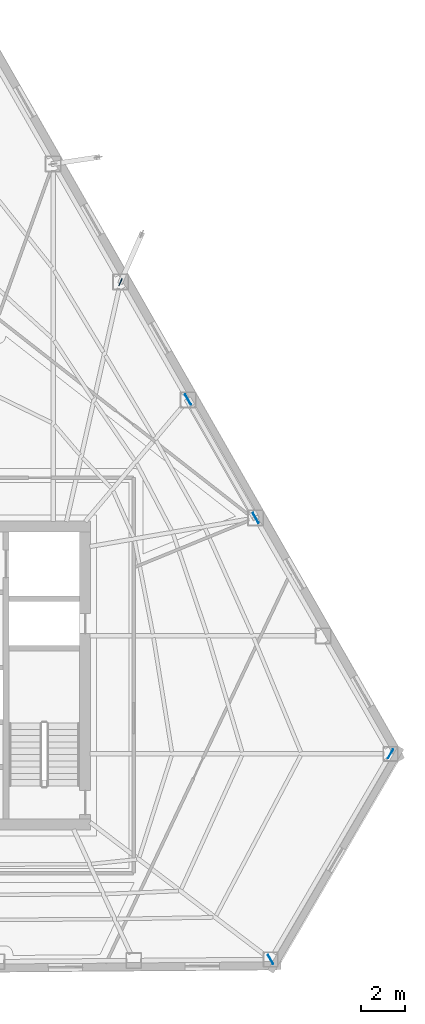
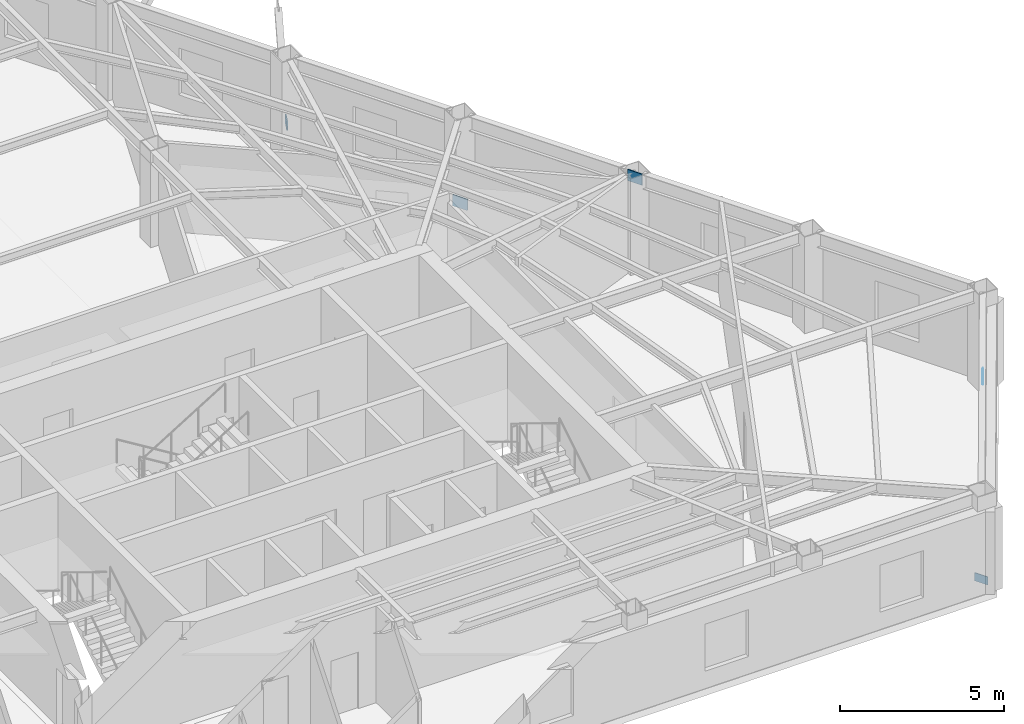
# One storey, part 6 of 12: 5 plates.
"""IFC4 building model written with IfcOpenShell, lengths in metres."""

from ifc_helpers import new_model, si_unit, direction, frame, origin, origin_2d, place, context, subcontext, project, spatial, rectangle, extrude, material, layer, layer_set, type_object, element, save


model = new_model("IFC4")

# Units and contexts
model_context = context("Model", 3, precision=1e-05, world=origin(), true_north=direction((0.0, 1.0)))
body_context = subcontext(model_context, "Body", "Model", "MODEL_VIEW")
ifc_project = project(units=[si_unit("LENGTHUNIT", "METRE"), si_unit("AREAUNIT", "SQUARE_METRE"), si_unit("VOLUMEUNIT", "CUBIC_METRE"), si_unit("PLANEANGLEUNIT", "RADIAN"), si_unit("MASSUNIT", "GRAM", prefix="KILO")], contexts=[model_context])

# Site, building, storey
site_placement = place(None, origin())
site = spatial("IfcSite", under=ifc_project, at=site_placement, CompositionType="ELEMENT")
building_placement = place(site_placement, origin())
building = spatial("IfcBuilding", under=site, at=building_placement, Name="Kavelnor Concourse Tower", CompositionType="ELEMENT")
storey_placement = place(building_placement, frame((0.0, 0.0, 147.10009765625)))
storey = spatial("IfcBuildingStorey", under=building, at=storey_placement, Name="L37", CompositionType="ELEMENT", Elevation=147.10009765625)

# Plates
ifc_material = material(Name="Steel Grade 350", Category="steel")
ifc_layer_1 = layer(ifc_material, 0.028076171875, Name="Steel Grade 350")
ifc_layer_set_1 = layer_set([ifc_layer_1], Name="Steel Grade 350")
plate_type_1 = type_object("IfcPlateType", Name="PL-GUSSET-FOLD", PredefinedType="USERDEFINED", material=ifc_layer_set_1)
for number, where, z_axis, x_axis, name in (
    (1, (56.16796875, 3.243408203125, 0.10009765625), (0.0, 0.0, 1.0), (-0.5, 0.866025403784, 0.0), "L37 Herringbone Corner-Fold Kink Gusset Plate F1-B6"),
    (2, (61.593994140625, 12.5546875, 0.10009765625), (0.0, 0.0, 1.0), (-0.5, -0.866025403784, 0.0), "L37 Herringbone Corner-Fold Kink Gusset Plate F2-B0"),
):
    element("IfcPlate", number, at=place(storey_placement, frame(where, z_axis=z_axis, x_axis=x_axis)), inside=storey, type_object=plate_type_1, Name=name, ObjectType="GUSSET_PLATE", PredefinedType="USERDEFINED", context=body_context, shape_type="SweptSolid", body=[
        extrude(rectangle(XDim=0.4599609375, YDim=0.028076171875, at=origin_2d()), origin(), (0.0, 0.0, 1.0), 0.300048828125),
    ])
plate_placement = place(storey_placement, frame((49.372314453125, 33.90380859375, 0.8798828125), z_axis=(0.0, 0.0, 1.0), x_axis=(0.403704980793, 0.914889221974, 0.0)))
element("IfcPlate", 3, at=plate_placement, inside=storey, type_object=plate_type_1, Name="L37 Balcony Strut Gusset GP4 1-A End Gusset A", ObjectType="GUSSET_PLATE", PredefinedType="USERDEFINED", context=body_context, shape_type="SweptSolid", body=[
    extrude(rectangle(XDim=0.360107421875, YDim=0.028076171875, at=origin_2d()), origin(), (0.0, 0.0, 1.0), 0.340087890625),
])
ifc_layer_2 = layer(ifc_material, 0.031982421875, Name="Steel Grade 350")
ifc_layer_set_2 = layer_set([ifc_layer_2], Name="Steel Grade 350")
plate_type_2 = type_object("IfcPlateType", Name="PL-GUSSET-TUBE-Z1", PredefinedType="USERDEFINED", material=ifc_layer_set_2)
for number, where, z_axis, x_axis, name in (
    (4, (52.42529296875, 28.585205078125, 0.010009765625), (0.0, 0.0, 1.0), (0.496519531995, -0.868025549363, 0.0), "L37 Tube Brace Gusset GP3 F2-B2 End Gusset A"),
    (5, (55.491455078125, 23.224365234375, 3.12353515625), (0.0, 0.0, 1.0), (0.496519531995, -0.868025549363, 0.0), "L37 Tube Brace Gusset GP3 F2-B2 End Gusset B"),
):
    element("IfcPlate", number, at=place(storey_placement, frame(where, z_axis=z_axis, x_axis=x_axis)), inside=storey, type_object=plate_type_2, Name=name, ObjectType="GUSSET_PLATE", PredefinedType="USERDEFINED", context=body_context, shape_type="SweptSolid", body=[
        extrude(rectangle(XDim=0.52001953125, YDim=0.031982421875, at=origin_2d()), origin(), (0.0, 0.0, 1.0), 0.419921875),
    ])

save(model, "model.ifc")
